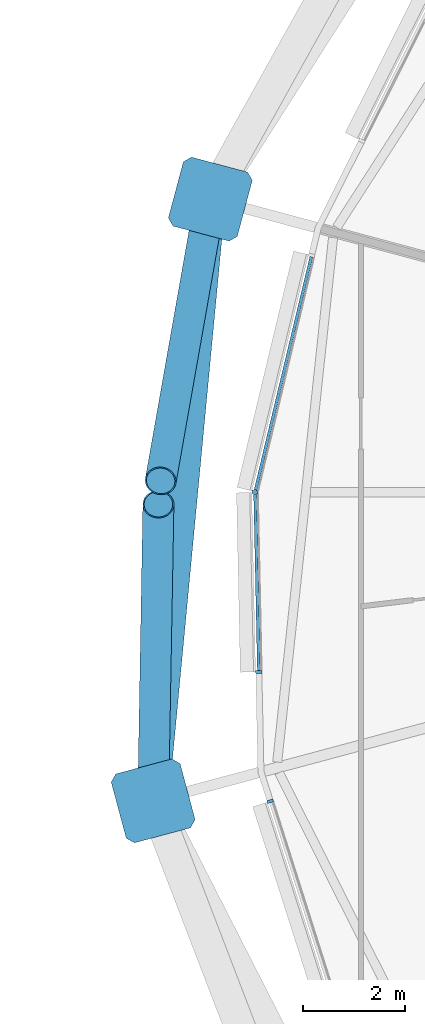
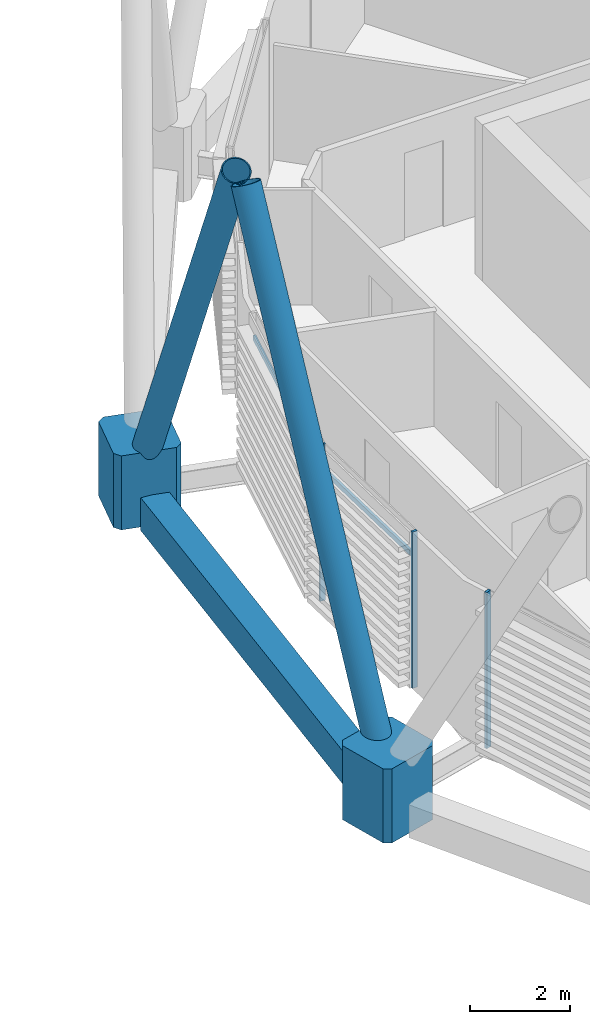
# One storey, part 9 of 35: 9 members, 1 beam, 1 element without a shape of its own.
"""IFC4 building model written with IfcOpenShell, lengths in metres."""

from ifc_helpers import new_model, si_unit, direction, frame, origin, origin_2d, place, context, subcontext, project, spatial, polyline, rectangle, hollow_rectangle, hollow_circle, outline, extrude, material, material_profile, profile_set, type_object, element, aggregate, save


model = new_model("IFC4")

# Units and contexts
model_context = context("Model", 3, precision=1e-05, world=origin(), true_north=direction((0.0, 1.0)))
body_context = subcontext(model_context, "Body", "Model", "MODEL_VIEW")
ifc_project = project(units=[si_unit("LENGTHUNIT", "METRE"), si_unit("AREAUNIT", "SQUARE_METRE"), si_unit("VOLUMEUNIT", "CUBIC_METRE"), si_unit("PLANEANGLEUNIT", "RADIAN"), si_unit("MASSUNIT", "GRAM", prefix="KILO")], contexts=[model_context])

# Site, building, storey
site_placement = place(None, origin())
site = spatial("IfcSite", under=ifc_project, at=site_placement, CompositionType="ELEMENT")
building_placement = place(site_placement, origin())
building = spatial("IfcBuilding", under=site, at=building_placement, Name="Rimbun Link Towers", CompositionType="ELEMENT")
storey_placement = place(building_placement, frame((0.0, 0.0, 181.699951171875)))
storey = spatial("IfcBuildingStorey", under=building, at=storey_placement, Name="L44", CompositionType="ELEMENT", Elevation=181.699951171875)

# Curtain wall, members
ifc_material_1 = material(Name="Aluminium 6063-T6 and low-iron glass", Category="aluminium")
curtain_wall_type = type_object("IfcCurtainWallType", Name="CW1-Z3 unitised vision wall (zone 3)", PredefinedType="NOTDEFINED", material=ifc_material_1)
curtain_wall_placement = place(storey_placement, origin())
curtain_wall = element("IfcCurtainWall", 1, at=curtain_wall_placement, inside=storey, type_object=curtain_wall_type, Name="CW1 L44 T2", PredefinedType="NOTDEFINED")
ifc_material_2 = material(Name="Aluminium 6063-T6", Category="aluminium")
ifc_material_profile_1 = material_profile(ifc_material_2, rectangle(XDim=0.1201171875, YDim=0.06005859375, at=origin_2d()), Name="MULLION 60X120")
ifc_profile_set_1 = profile_set([ifc_material_profile_1], Name="Aluminium 6063-T6")
member_type_1 = type_object("IfcMemberType", Name="CW1 mullion 60X120", PredefinedType="MULLION", material=ifc_profile_set_1)
member_1_placement = place(storey_placement, frame((11.15625, 0.00634765625, 0.0), z_axis=(0.0, 0.0, 1.0), x_axis=(-0.99429828972, 0.10663447407, 0.0)))
member_1 = element("IfcMember", 2, at=member_1_placement, type_object=member_type_1, Name="CW1 mullion", PredefinedType="MULLION", context=body_context, shape_type="SweptSolid", body=[
    extrude(rectangle(XDim=0.1201171875, YDim=0.06005859375, at=origin_2d()), origin(), (0.0, 0.0, 1.0), 3.800048828125),
])
member_2_placement = place(storey_placement, frame((11.230224609375, -3.52294921875, 0.0), z_axis=(0.0, 0.0, 1.0), x_axis=(-0.999778017463, -0.02106930936, 0.0)))
member_2 = element("IfcMember", 3, at=member_2_placement, type_object=member_type_1, Name="CW1 mullion", PredefinedType="MULLION", context=body_context, shape_type="SweptSolid", body=[
    extrude(rectangle(XDim=0.1201171875, YDim=0.06005859375, at=origin_2d()), origin(), (0.0, 0.0, 1.0), 3.800048828125),
])
member_3_placement = place(storey_placement, frame((11.455810546875, -6.061279296875, 0.0), z_axis=(0.0, 0.0, 1.0), x_axis=(-0.95297360206, -0.303053318374, 0.0)))
member_3 = element("IfcMember", 4, at=member_3_placement, type_object=member_type_1, Name="CW1 mullion", PredefinedType="MULLION", context=body_context, shape_type="SweptSolid", body=[
    extrude(rectangle(XDim=0.1201171875, YDim=0.06005859375, at=origin_2d()), origin(), (0.0, 0.0, 1.0), 3.800048828125),
])
ifc_material_3 = material(Name="Aluminium 6063-T6", Category="aluminium")
ifc_material_profile_2 = material_profile(ifc_material_3, rectangle(XDim=0.06005859375, YDim=0.1201171875, at=origin_2d()), Name="TRANSOM 60X120")
ifc_profile_set_2 = profile_set([ifc_material_profile_2], Name="Aluminium 6063-T6")
member_type_2 = type_object("IfcMemberType", Name="CW1 transom 60X120", PredefinedType="USERDEFINED", material=ifc_profile_set_2)
member_4_placement = place(storey_placement, frame((11.16650390625, 0.042724609375, 3.199951171875), z_axis=(0.232599880231, 0.972572514374, 0.0), x_axis=(-0.972572514374, 0.232599880231, 0.0)))
member_4 = element("IfcMember", 5, at=member_4_placement, type_object=member_type_2, Name="CW1 transom", ObjectType="TRANSOM", PredefinedType="USERDEFINED", context=body_context, shape_type="SweptSolid", body=[
    extrude(rectangle(XDim=0.06005859375, YDim=0.1201171875, at=origin_2d()), origin(), (0.0, 0.0, 1.0), 4.70654296875),
])
member_5_placement = place(storey_placement, frame((11.2314453125, -3.492919921875, 3.199951171875), z_axis=(-0.021082836727, 0.999777732296, 0.0), x_axis=(-0.999777732296, -0.021082836727, 0.0)))
member_5 = element("IfcMember", 6, at=member_5_placement, type_object=member_type_2, Name="CW1 transom", ObjectType="TRANSOM", PredefinedType="USERDEFINED", context=body_context, shape_type="SweptSolid", body=[
    extrude(rectangle(XDim=0.06005859375, YDim=0.1201171875, at=origin_2d()), origin(), (0.0, 0.0, 1.0), 3.46240234375),
])
aggregate(curtain_wall, [member_1, member_2, member_3, member_4, member_5])

# Members
ifc_material_4 = material(Name="Steel S355J2H", Category="steel")
ifc_material_profile_3 = material_profile(ifc_material_4, hollow_circle(Radius=0.3046875, WallThickness=0.02490234375, at=origin_2d()), Name="Diagrid diagonal CHS 610x25")
ifc_profile_set_3 = profile_set([ifc_material_profile_3], Name="Steel S355J2H")
member_type_3 = type_object("IfcMemberType", Name="Diagrid diagonal CHS 610x25", PredefinedType="BRACE", material=ifc_profile_set_3)
member_6_placement = place(storey_placement, frame((10.239501953125, 5.528564453125, 0.445068359375), z_axis=(-0.079177858516, -0.449122448112, 0.889954995111), x_axis=(0.984813207292, -0.173617242068, 0.0)))
element("IfcMember", 7, at=member_6_placement, inside=storey, type_object=member_type_3, Name="Diagrid diagonal T2 L44-L47 08b", PredefinedType="BRACE", context=body_context, shape_type="SweptSolid", body=[
    extrude(hollow_circle(Radius=0.3046875, WallThickness=0.02490234375, at=origin_2d()), origin(), (0.0, 0.0, 1.0), 11.8095703125),
])
member_7_placement = place(storey_placement, frame((9.161865234375, -5.819091796875, 0.441650390625), z_axis=(0.008303414582, 0.468968654687, 0.88317577765), x_axis=(-0.999843291079, 0.017702917412, 0.0)))
element("IfcMember", 8, at=member_7_placement, inside=storey, type_object=member_type_3, Name="Diagrid diagonal T2 L44-L47 10a", PredefinedType="BRACE", context=body_context, shape_type="SweptSolid", body=[
    extrude(hollow_circle(Radius=0.3046875, WallThickness=0.02490234375, at=origin_2d()), origin(), (0.0, 0.0, 1.0), 11.907958984375),
])
ifc_material_5 = material(Name="Cast steel G20Mn5+QT, Rp0.2 300 MPa", Category="steel")
ifc_material_profile_4 = material_profile(ifc_material_5, outline(polyline([(0.699951171875, -0.570068359375), (0.699951171875, 0.570068359375), (0.570068359375, 0.699951171875), (-0.570068359375, 0.699951171875), (-0.699951171875, 0.570068359375), (-0.699951171875, -0.570068359375), (-0.570068359375, -0.699951171875), (0.570068359375, -0.699951171875), (0.699951171875, -0.570068359375)])), Name="NODE 1400x1400")
ifc_profile_set_4 = profile_set([ifc_material_profile_4], Name="Cast steel G20Mn5+QT, Rp0.2 300 MPa")
member_type_4 = type_object("IfcMemberType", Name="Diagrid node cast 1400", PredefinedType="USERDEFINED", material=ifc_profile_set_4)
for number, where, z_axis, x_axis, name in (
    (9, (10.279296875, 5.753173828125, -0.89990234375), (0.0, 0.0, 1.0), (-0.965925826289, 0.258819045103, 0.0), "Diagrid node L44 08"),
    (10, (9.15771484375, -6.0537109375, -0.89990234375), (0.0, 0.0, 1.0), (-0.965925826289, -0.258819045103, 0.0), "Diagrid node L44 10"),
):
    element("IfcMember", number, at=place(storey_placement, frame(where, z_axis=z_axis, x_axis=x_axis)), inside=storey, type_object=member_type_4, Name=name, ObjectType="Diagrid node", PredefinedType="USERDEFINED", context=body_context, shape_type="SweptSolid", body=[
        extrude(outline(polyline([(0.699951171875, -0.570068359375), (0.699951171875, 0.570068359375), (0.570068359375, 0.699951171875), (-0.570068359375, 0.699951171875), (-0.699951171875, 0.570068359375), (-0.699951171875, -0.570068359375), (-0.570068359375, -0.699951171875), (0.570068359375, -0.699951171875), (0.699951171875, -0.570068359375)])), origin(), (0.0, 0.0, 1.0), 1.800048828125),
    ])

# Beam
ifc_material_6 = material(Name="Steel S355J2", Category="steel")
ifc_material_profile_5 = material_profile(ifc_material_6, hollow_rectangle(XDim=0.60009765625, YDim=0.800048828125, WallThickness=0.0400390625, at=origin_2d()), Name="Exoskeleton ring girder BOX 600x800x40")
ifc_profile_set_5 = profile_set([ifc_material_profile_5], Name="Steel S355J2")
beam_type = type_object("IfcBeamType", Name="Exoskeleton ring girder BOX 600x800x40", PredefinedType="BEAM", material=ifc_profile_set_5)
beam_placement = place(storey_placement, frame((10.212890625, 5.05615234375, -0.56005859375), z_axis=(-0.094531513263, -0.995521869674, 0.0), x_axis=(0.995521869674, -0.094531513263, 0.0)))
element("IfcBeam", 11, at=beam_placement, inside=storey, type_object=beam_type, Name="Exoskeleton ring girder L44 03", PredefinedType="BEAM", context=body_context, shape_type="SweptSolid", body=[
    extrude(hollow_rectangle(XDim=0.60009765625, YDim=0.800048828125, WallThickness=0.0400390625, at=origin_2d()), origin(), (0.0, 0.0, 1.0), 10.459716796875),
])

save(model, "model.ifc")
